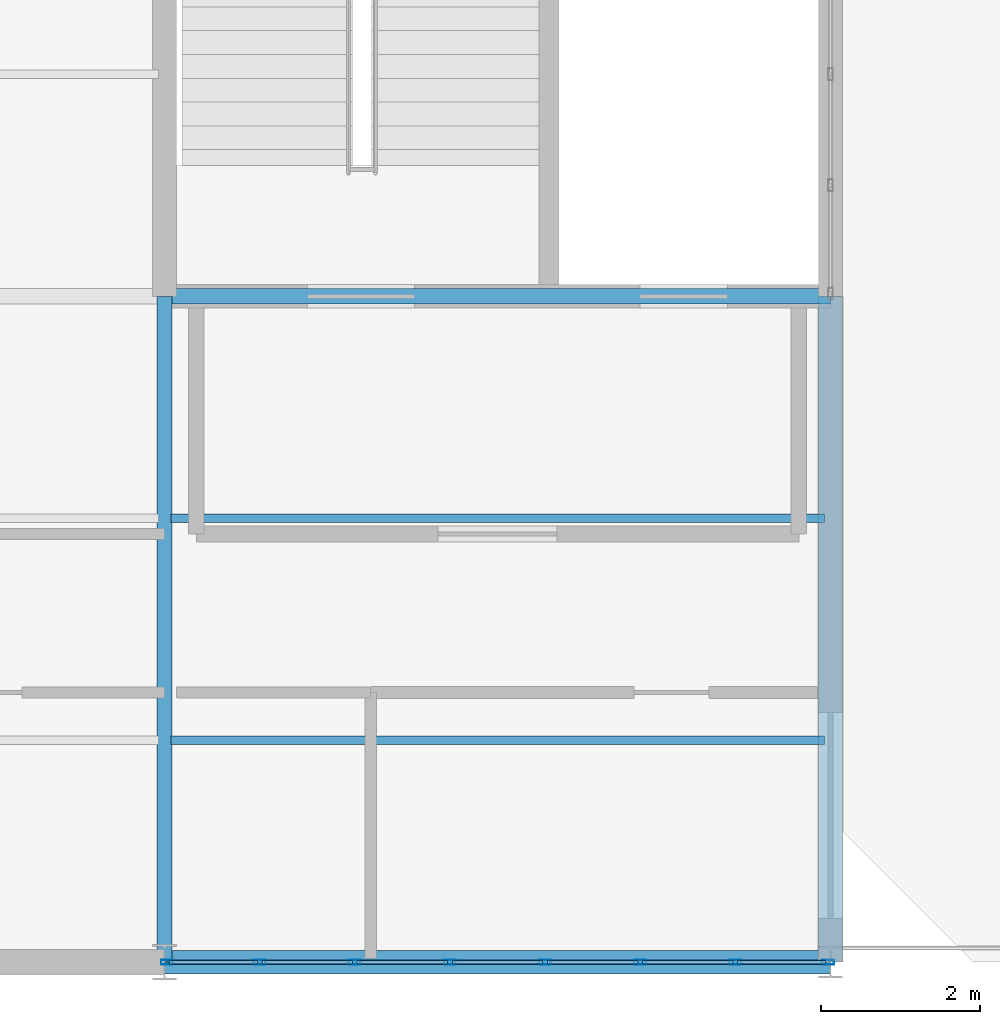
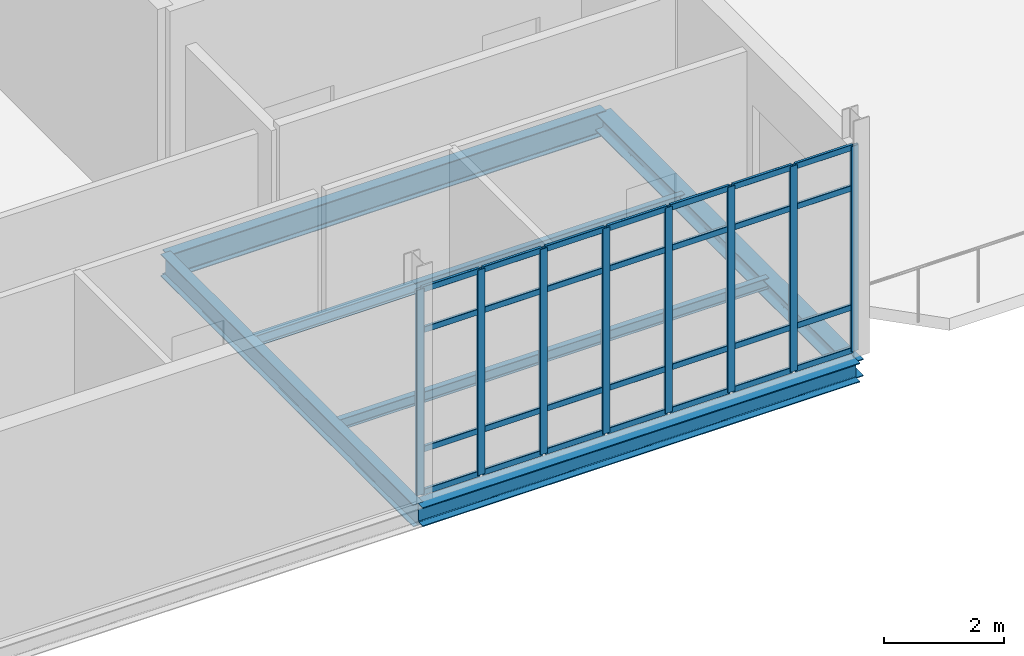
# One storey, part 11 of 28: 36 members, 6 beams, 1 element without a shape of its own.
"""IFC4 building model written with IfcOpenShell, lengths in metres."""

from ifc_helpers import new_model, si_unit, direction, frame, origin, origin_2d, place, context, subcontext, project, spatial, hollow_rectangle, i_section, extrude, material, layer, layer_set, material_profile, profile_set, type_object, element, aggregate, save


model = new_model("IFC4")

# Units and contexts
model_context = context("Model", 3, precision=1e-05, world=origin(), true_north=direction((0.0, 1.0)))
body_context = subcontext(model_context, "Body", "Model", "MODEL_VIEW")
ifc_project = project(units=[si_unit("LENGTHUNIT", "METRE"), si_unit("AREAUNIT", "SQUARE_METRE"), si_unit("VOLUMEUNIT", "CUBIC_METRE"), si_unit("PLANEANGLEUNIT", "RADIAN"), si_unit("MASSUNIT", "GRAM", prefix="KILO")], contexts=[model_context])

# Site, building, storey
site_placement = place(None, origin())
site = spatial("IfcSite", under=ifc_project, at=site_placement, CompositionType="ELEMENT")
building_placement = place(site_placement, origin())
building = spatial("IfcBuilding", under=site, at=building_placement, Name="Qalvenar Corner Mobility Hub", CompositionType="ELEMENT")
storey_placement = place(building_placement, frame((0.0, 0.0, 21.60009765625)))
storey = spatial("IfcBuildingStorey", under=building, at=storey_placement, Name="L05", CompositionType="ELEMENT", Elevation=21.60009765625)

# Beams
ifc_material_1 = material(Name="Steel S355", Category="steel")
ifc_material_profile_1 = material_profile(ifc_material_1, i_section(OverallWidth=0.18994140625, OverallDepth=0.449951171875, WebThickness=0.009521484375, FlangeThickness=0.0146484375, FilletRadius=0.02099609375, at=origin_2d()), Name="IPE450")
ifc_profile_set_1 = profile_set([ifc_material_profile_1], Name="Steel S355")
beam_type_1 = type_object("IfcBeamType", Name="BM-IPE450", PredefinedType="BEAM", material=ifc_profile_set_1)
beam_1_placement = place(storey_placement, frame((33.60009765625, 0.0, -0.405029296875), z_axis=(0.0, 1.0, 0.0), x_axis=(-1.0, 0.0, 0.0)))
element("IfcBeam", 1, at=beam_1_placement, inside=storey, type_object=beam_type_1, Name="Primary Steel Girder GY-2995", PredefinedType="BEAM", context=body_context, shape_type="SweptSolid", body=[
    extrude(i_section(OverallWidth=0.18994140625, OverallDepth=0.449951171875, WebThickness=0.009521484375, FlangeThickness=0.0146484375, FilletRadius=0.02099609375, at=origin_2d()), origin(), (0.0, 0.0, 1.0), 8.39990234375),
])
ifc_material_profile_2 = material_profile(ifc_material_1, i_section(OverallWidth=0.199951171875, OverallDepth=0.5, WebThickness=0.01025390625, FlangeThickness=0.01611328125, FilletRadius=0.02099609375, at=origin_2d()), Name="IPE500")
ifc_profile_set_2 = profile_set([ifc_material_profile_2], Name="Steel S355")
beam_type_2 = type_object("IfcBeamType", Name="BM-IPE500", PredefinedType="BEAM", material=ifc_profile_set_2)
beam_2_placement = place(storey_placement, frame((33.60009765625, 8.39990234375, -0.43017578125), z_axis=(1.0, 0.0, 0.0), x_axis=(0.0, 1.0, 0.0)))
element("IfcBeam", 2, at=beam_2_placement, inside=storey, type_object=beam_type_2, Name="Primary Steel Girder GX-2954", PredefinedType="BEAM", context=body_context, shape_type="SweptSolid", body=[
    extrude(i_section(OverallWidth=0.199951171875, OverallDepth=0.5, WebThickness=0.01025390625, FlangeThickness=0.01611328125, FilletRadius=0.02099609375, at=origin_2d()), origin(), (0.0, 0.0, 1.0), 8.39990234375),
])
ifc_material_profile_3 = material_profile(ifc_material_1, i_section(OverallWidth=0.110107421875, OverallDepth=0.219970703125, WebThickness=0.005859375, FlangeThickness=0.00927734375, FilletRadius=0.011962890625, at=origin_2d()), Name="IPE220")
ifc_profile_set_3 = profile_set([ifc_material_profile_3], Name="Steel S355")
beam_type_3 = type_object("IfcBeamType", Name="BM-JST220", PredefinedType="JOIST", material=ifc_profile_set_3)
for number, where, z_axis, x_axis, name in (
    (3, (33.677978515625, 2.800048828125, -0.2900390625), (1.0, 0.0, 0.0), (0.0, 1.0, 0.0), "Composite Floor Joist J-3044"),
    (4, (33.677978515625, 5.60009765625, -0.2900390625), (1.0, 0.0, 0.0), (0.0, 1.0, 0.0), "Composite Floor Joist J-3045"),
):
    element("IfcBeam", number, at=place(storey_placement, frame(where, z_axis=z_axis, x_axis=x_axis)), inside=storey, type_object=beam_type_3, Name=name, PredefinedType="JOIST", context=body_context, shape_type="SweptSolid", body=[
        extrude(i_section(OverallWidth=0.110107421875, OverallDepth=0.219970703125, WebThickness=0.005859375, FlangeThickness=0.00927734375, FilletRadius=0.011962890625, at=origin_2d()), origin(), (0.0, 0.0, 1.0), 8.244140625),
    ])
ifc_material_profile_4 = material_profile(ifc_material_1, i_section(OverallWidth=0.300048828125, OverallDepth=0.35009765625, WebThickness=0.010009765625, FlangeThickness=0.017578125, FilletRadius=0.027099609375, at=origin_2d()), Name="HEA360")
ifc_profile_set_4 = profile_set([ifc_material_profile_4], Name="Steel S355")
beam_type_4 = type_object("IfcBeamType", Name="BM-SPN360", PredefinedType="SPANDREL", material=ifc_profile_set_4)
beam_3_placement = place(storey_placement, frame((42.0, 0.0, -0.4169921875), z_axis=(0.0, 1.0, 0.0), x_axis=(-1.0, 0.0, 0.0)))
element("IfcBeam", 5, at=beam_3_placement, inside=storey, type_object=beam_type_4, Name="Primary Steel Girder GY-3000", PredefinedType="SPANDREL", context=body_context, shape_type="SweptSolid", body=[
    extrude(i_section(OverallWidth=0.300048828125, OverallDepth=0.35009765625, WebThickness=0.010009765625, FlangeThickness=0.017578125, FilletRadius=0.027099609375, at=origin_2d()), origin(), (0.0, 0.0, 1.0), 8.39990234375),
])
ifc_material_profile_5 = material_profile(ifc_material_1, i_section(OverallWidth=0.300048828125, OverallDepth=0.389892578125, WebThickness=0.010986328125, FlangeThickness=0.01904296875, FilletRadius=0.027099609375, at=origin_2d()), Name="HEA400")
ifc_profile_set_5 = profile_set([ifc_material_profile_5], Name="Steel S355")
beam_type_5 = type_object("IfcBeamType", Name="BM-SPN400", PredefinedType="SPANDREL", material=ifc_profile_set_5)
beam_4_placement = place(storey_placement, frame((33.60009765625, 0.0, -0.375), z_axis=(1.0, 0.0, 0.0), x_axis=(0.0, 1.0, 0.0)))
element("IfcBeam", 6, at=beam_4_placement, inside=storey, type_object=beam_type_5, Name="Primary Steel Girder GX-2949", PredefinedType="SPANDREL", context=body_context, shape_type="SweptSolid", body=[
    extrude(i_section(OverallWidth=0.300048828125, OverallDepth=0.389892578125, WebThickness=0.010986328125, FlangeThickness=0.01904296875, FilletRadius=0.027099609375, at=origin_2d()), origin(), (0.0, 0.0, 1.0), 8.39990234375),
])

# Curtain wall, members
ifc_material_2 = material(Name="Anodised Aluminium and Low-E Glazing", Category="aluminium")
ifc_layer = layer(ifc_material_2, 0.14990234375)
ifc_layer_set = layer_set([ifc_layer], Name="Anodised Aluminium and Low-E Glazing")
curtain_wall_type = type_object("IfcCurtainWallType", Name="CW-SPT-84X44", PredefinedType="NOTDEFINED", material=ifc_layer_set)
curtain_wall_placement = place(storey_placement, origin())
curtain_wall = element("IfcCurtainWall", 7, at=curtain_wall_placement, inside=storey, type_object=curtain_wall_type, Name="Glazed Curtain Wall CW-V3-L05-S4", PredefinedType="NOTDEFINED")
ifc_material_3 = material(Name="Anodised Aluminium 6063-T6", Category="aluminium")
ifc_material_profile_6 = material_profile(ifc_material_3, hollow_rectangle(XDim=0.06005859375, YDim=0.14990234375, WallThickness=0.00390625, InnerFilletRadius=0.00390625, OuterFilletRadius=0.008056640625, at=origin_2d()), Name="RHS150x60x4")
ifc_profile_set_6 = profile_set([ifc_material_profile_6], Name="Anodised Aluminium 6063-T6")
member_type_1 = type_object("IfcMemberType", Name="CW-MUL150", PredefinedType="MULLION", material=ifc_profile_set_6)
member_1_placement = place(storey_placement, frame((33.6298828125, 0.0, 0.0), z_axis=(0.0, 0.0, 1.0), x_axis=(0.0, 1.0, 0.0)))
member_1 = element("IfcMember", 8, at=member_1_placement, type_object=member_type_1, Name="CW-06 mullion 1", PredefinedType="MULLION", context=body_context, shape_type="SweptSolid", body=[
    extrude(hollow_rectangle(XDim=0.06005859375, YDim=0.14990234375, WallThickness=0.00390625, InnerFilletRadius=0.00390625, OuterFilletRadius=0.008056640625, at=origin_2d()), origin(), (0.0, 0.0, 1.0), 4.169921875),
])
member_2_placement = place(storey_placement, frame((34.800048828125, 0.0, 0.0), z_axis=(0.0, 0.0, 1.0), x_axis=(0.0, 1.0, 0.0)))
member_2 = element("IfcMember", 9, at=member_2_placement, type_object=member_type_1, Name="CW-06 mullion 2", PredefinedType="MULLION", context=body_context, shape_type="SweptSolid", body=[
    extrude(hollow_rectangle(XDim=0.06005859375, YDim=0.14990234375, WallThickness=0.00390625, InnerFilletRadius=0.00390625, OuterFilletRadius=0.008056640625, at=origin_2d()), origin(), (0.0, 0.0, 1.0), 4.169921875),
])
member_3_placement = place(storey_placement, frame((36.0, 0.0, 0.0), z_axis=(0.0, 0.0, 1.0), x_axis=(0.0, 1.0, 0.0)))
member_3 = element("IfcMember", 10, at=member_3_placement, type_object=member_type_1, Name="CW-06 mullion 3", PredefinedType="MULLION", context=body_context, shape_type="SweptSolid", body=[
    extrude(hollow_rectangle(XDim=0.06005859375, YDim=0.14990234375, WallThickness=0.00390625, InnerFilletRadius=0.00390625, OuterFilletRadius=0.008056640625, at=origin_2d()), origin(), (0.0, 0.0, 1.0), 4.169921875),
])
member_4_placement = place(storey_placement, frame((37.199951171875, 0.0, 0.0), z_axis=(0.0, 0.0, 1.0), x_axis=(0.0, 1.0, 0.0)))
member_4 = element("IfcMember", 11, at=member_4_placement, type_object=member_type_1, Name="CW-06 mullion 4", PredefinedType="MULLION", context=body_context, shape_type="SweptSolid", body=[
    extrude(hollow_rectangle(XDim=0.06005859375, YDim=0.14990234375, WallThickness=0.00390625, InnerFilletRadius=0.00390625, OuterFilletRadius=0.008056640625, at=origin_2d()), origin(), (0.0, 0.0, 1.0), 4.169921875),
])
member_5_placement = place(storey_placement, frame((38.39990234375, 0.0, 0.0), z_axis=(0.0, 0.0, 1.0), x_axis=(0.0, 1.0, 0.0)))
member_5 = element("IfcMember", 12, at=member_5_placement, type_object=member_type_1, Name="CW-06 mullion 5", PredefinedType="MULLION", context=body_context, shape_type="SweptSolid", body=[
    extrude(hollow_rectangle(XDim=0.06005859375, YDim=0.14990234375, WallThickness=0.00390625, InnerFilletRadius=0.00390625, OuterFilletRadius=0.008056640625, at=origin_2d()), origin(), (0.0, 0.0, 1.0), 4.169921875),
])
member_6_placement = place(storey_placement, frame((39.60009765625, 0.0, 0.0), z_axis=(0.0, 0.0, 1.0), x_axis=(0.0, 1.0, 0.0)))
member_6 = element("IfcMember", 13, at=member_6_placement, type_object=member_type_1, Name="CW-06 mullion 6", PredefinedType="MULLION", context=body_context, shape_type="SweptSolid", body=[
    extrude(hollow_rectangle(XDim=0.06005859375, YDim=0.14990234375, WallThickness=0.00390625, InnerFilletRadius=0.00390625, OuterFilletRadius=0.008056640625, at=origin_2d()), origin(), (0.0, 0.0, 1.0), 4.169921875),
])
member_7_placement = place(storey_placement, frame((40.800048828125, 0.0, 0.0), z_axis=(0.0, 0.0, 1.0), x_axis=(0.0, 1.0, 0.0)))
member_7 = element("IfcMember", 14, at=member_7_placement, type_object=member_type_1, Name="CW-06 mullion 7", PredefinedType="MULLION", context=body_context, shape_type="SweptSolid", body=[
    extrude(hollow_rectangle(XDim=0.06005859375, YDim=0.14990234375, WallThickness=0.00390625, InnerFilletRadius=0.00390625, OuterFilletRadius=0.008056640625, at=origin_2d()), origin(), (0.0, 0.0, 1.0), 4.169921875),
])
member_8_placement = place(storey_placement, frame((41.969970703125, 0.0, 0.0), z_axis=(0.0, 0.0, 1.0), x_axis=(0.0, 1.0, 0.0)))
member_8 = element("IfcMember", 15, at=member_8_placement, type_object=member_type_1, Name="CW-06 mullion 8", PredefinedType="MULLION", context=body_context, shape_type="SweptSolid", body=[
    extrude(hollow_rectangle(XDim=0.06005859375, YDim=0.14990234375, WallThickness=0.00390625, InnerFilletRadius=0.00390625, OuterFilletRadius=0.008056640625, at=origin_2d()), origin(), (0.0, 0.0, 1.0), 4.169921875),
])
ifc_material_profile_7 = material_profile(ifc_material_3, hollow_rectangle(XDim=0.054931640625, YDim=0.1201171875, WallThickness=0.00341796875, InnerFilletRadius=0.00341796875, OuterFilletRadius=0.007080078125, at=origin_2d()), Name="RHS120x55x3.5")
ifc_profile_set_7 = profile_set([ifc_material_profile_7], Name="Anodised Aluminium 6063-T6")
member_type_2 = type_object("IfcMemberType", Name="CW-TRN120", PredefinedType="USERDEFINED", material=ifc_profile_set_7)
member_9_placement = place(storey_placement, frame((33.659912109375, 0.0, 0.02734375), z_axis=(1.0, 0.0, 0.0), x_axis=(0.0, 1.0, 0.0)))
member_9 = element("IfcMember", 16, at=member_9_placement, type_object=member_type_2, Name="CW-06 transom 1.1", ObjectType="TRANSOM", PredefinedType="USERDEFINED", context=body_context, shape_type="SweptSolid", body=[
    extrude(hollow_rectangle(XDim=0.054931640625, YDim=0.1201171875, WallThickness=0.00341796875, InnerFilletRadius=0.00341796875, OuterFilletRadius=0.007080078125, at=origin_2d()), origin(), (0.0, 0.0, 1.0), 1.110107421875),
])
member_10_placement = place(storey_placement, frame((33.659912109375, 0.0, 0.89990234375), z_axis=(1.0, 0.0, 0.0), x_axis=(0.0, 1.0, 0.0)))
member_10 = element("IfcMember", 17, at=member_10_placement, type_object=member_type_2, Name="CW-06 transom 1.2", ObjectType="TRANSOM", PredefinedType="USERDEFINED", context=body_context, shape_type="SweptSolid", body=[
    extrude(hollow_rectangle(XDim=0.054931640625, YDim=0.1201171875, WallThickness=0.00341796875, InnerFilletRadius=0.00341796875, OuterFilletRadius=0.007080078125, at=origin_2d()), origin(), (0.0, 0.0, 1.0), 1.110107421875),
])
member_11_placement = place(storey_placement, frame((33.659912109375, 0.0, 3.31982421875), z_axis=(1.0, 0.0, 0.0), x_axis=(0.0, 1.0, 0.0)))
member_11 = element("IfcMember", 18, at=member_11_placement, type_object=member_type_2, Name="CW-06 transom 1.3", ObjectType="TRANSOM", PredefinedType="USERDEFINED", context=body_context, shape_type="SweptSolid", body=[
    extrude(hollow_rectangle(XDim=0.054931640625, YDim=0.1201171875, WallThickness=0.00341796875, InnerFilletRadius=0.00341796875, OuterFilletRadius=0.007080078125, at=origin_2d()), origin(), (0.0, 0.0, 1.0), 1.110107421875),
])
member_12_placement = place(storey_placement, frame((33.659912109375, 0.0, 4.142333984375), z_axis=(1.0, 0.0, 0.0), x_axis=(0.0, 1.0, 0.0)))
member_12 = element("IfcMember", 19, at=member_12_placement, type_object=member_type_2, Name="CW-06 transom 1.4", ObjectType="TRANSOM", PredefinedType="USERDEFINED", context=body_context, shape_type="SweptSolid", body=[
    extrude(hollow_rectangle(XDim=0.054931640625, YDim=0.1201171875, WallThickness=0.00341796875, InnerFilletRadius=0.00341796875, OuterFilletRadius=0.007080078125, at=origin_2d()), origin(), (0.0, 0.0, 1.0), 1.110107421875),
])
member_13_placement = place(storey_placement, frame((34.830078125, 0.0, 0.02734375), z_axis=(1.0, 0.0, 0.0), x_axis=(0.0, 1.0, 0.0)))
member_13 = element("IfcMember", 20, at=member_13_placement, type_object=member_type_2, Name="CW-06 transom 2.1", ObjectType="TRANSOM", PredefinedType="USERDEFINED", context=body_context, shape_type="SweptSolid", body=[
    extrude(hollow_rectangle(XDim=0.054931640625, YDim=0.1201171875, WallThickness=0.00341796875, InnerFilletRadius=0.00341796875, OuterFilletRadius=0.007080078125, at=origin_2d()), origin(), (0.0, 0.0, 1.0), 1.139892578125),
])
member_14_placement = place(storey_placement, frame((34.830078125, 0.0, 0.89990234375), z_axis=(1.0, 0.0, 0.0), x_axis=(0.0, 1.0, 0.0)))
member_14 = element("IfcMember", 21, at=member_14_placement, type_object=member_type_2, Name="CW-06 transom 2.2", ObjectType="TRANSOM", PredefinedType="USERDEFINED", context=body_context, shape_type="SweptSolid", body=[
    extrude(hollow_rectangle(XDim=0.054931640625, YDim=0.1201171875, WallThickness=0.00341796875, InnerFilletRadius=0.00341796875, OuterFilletRadius=0.007080078125, at=origin_2d()), origin(), (0.0, 0.0, 1.0), 1.139892578125),
])
member_15_placement = place(storey_placement, frame((34.830078125, 0.0, 3.31982421875), z_axis=(1.0, 0.0, 0.0), x_axis=(0.0, 1.0, 0.0)))
member_15 = element("IfcMember", 22, at=member_15_placement, type_object=member_type_2, Name="CW-06 transom 2.3", ObjectType="TRANSOM", PredefinedType="USERDEFINED", context=body_context, shape_type="SweptSolid", body=[
    extrude(hollow_rectangle(XDim=0.054931640625, YDim=0.1201171875, WallThickness=0.00341796875, InnerFilletRadius=0.00341796875, OuterFilletRadius=0.007080078125, at=origin_2d()), origin(), (0.0, 0.0, 1.0), 1.139892578125),
])
member_16_placement = place(storey_placement, frame((34.830078125, 0.0, 4.142333984375), z_axis=(1.0, 0.0, 0.0), x_axis=(0.0, 1.0, 0.0)))
member_16 = element("IfcMember", 23, at=member_16_placement, type_object=member_type_2, Name="CW-06 transom 2.4", ObjectType="TRANSOM", PredefinedType="USERDEFINED", context=body_context, shape_type="SweptSolid", body=[
    extrude(hollow_rectangle(XDim=0.054931640625, YDim=0.1201171875, WallThickness=0.00341796875, InnerFilletRadius=0.00341796875, OuterFilletRadius=0.007080078125, at=origin_2d()), origin(), (0.0, 0.0, 1.0), 1.139892578125),
])
member_17_placement = place(storey_placement, frame((36.030029296875, 0.0, 0.02734375), z_axis=(1.0, 0.0, 0.0), x_axis=(0.0, 1.0, 0.0)))
member_17 = element("IfcMember", 24, at=member_17_placement, type_object=member_type_2, Name="CW-06 transom 3.1", ObjectType="TRANSOM", PredefinedType="USERDEFINED", context=body_context, shape_type="SweptSolid", body=[
    extrude(hollow_rectangle(XDim=0.054931640625, YDim=0.1201171875, WallThickness=0.00341796875, InnerFilletRadius=0.00341796875, OuterFilletRadius=0.007080078125, at=origin_2d()), origin(), (0.0, 0.0, 1.0), 1.139892578125),
])
member_18_placement = place(storey_placement, frame((36.030029296875, 0.0, 0.89990234375), z_axis=(1.0, 0.0, 0.0), x_axis=(0.0, 1.0, 0.0)))
member_18 = element("IfcMember", 25, at=member_18_placement, type_object=member_type_2, Name="CW-06 transom 3.2", ObjectType="TRANSOM", PredefinedType="USERDEFINED", context=body_context, shape_type="SweptSolid", body=[
    extrude(hollow_rectangle(XDim=0.054931640625, YDim=0.1201171875, WallThickness=0.00341796875, InnerFilletRadius=0.00341796875, OuterFilletRadius=0.007080078125, at=origin_2d()), origin(), (0.0, 0.0, 1.0), 1.139892578125),
])
member_19_placement = place(storey_placement, frame((36.030029296875, 0.0, 3.31982421875), z_axis=(1.0, 0.0, 0.0), x_axis=(0.0, 1.0, 0.0)))
member_19 = element("IfcMember", 26, at=member_19_placement, type_object=member_type_2, Name="CW-06 transom 3.3", ObjectType="TRANSOM", PredefinedType="USERDEFINED", context=body_context, shape_type="SweptSolid", body=[
    extrude(hollow_rectangle(XDim=0.054931640625, YDim=0.1201171875, WallThickness=0.00341796875, InnerFilletRadius=0.00341796875, OuterFilletRadius=0.007080078125, at=origin_2d()), origin(), (0.0, 0.0, 1.0), 1.139892578125),
])
member_20_placement = place(storey_placement, frame((36.030029296875, 0.0, 4.142333984375), z_axis=(1.0, 0.0, 0.0), x_axis=(0.0, 1.0, 0.0)))
member_20 = element("IfcMember", 27, at=member_20_placement, type_object=member_type_2, Name="CW-06 transom 3.4", ObjectType="TRANSOM", PredefinedType="USERDEFINED", context=body_context, shape_type="SweptSolid", body=[
    extrude(hollow_rectangle(XDim=0.054931640625, YDim=0.1201171875, WallThickness=0.00341796875, InnerFilletRadius=0.00341796875, OuterFilletRadius=0.007080078125, at=origin_2d()), origin(), (0.0, 0.0, 1.0), 1.139892578125),
])
member_21_placement = place(storey_placement, frame((37.22998046875, 0.0, 0.02734375), z_axis=(1.0, 0.0, 0.0), x_axis=(0.0, 1.0, 0.0)))
member_21 = element("IfcMember", 28, at=member_21_placement, type_object=member_type_2, Name="CW-06 transom 4.1", ObjectType="TRANSOM", PredefinedType="USERDEFINED", context=body_context, shape_type="SweptSolid", body=[
    extrude(hollow_rectangle(XDim=0.054931640625, YDim=0.1201171875, WallThickness=0.00341796875, InnerFilletRadius=0.00341796875, OuterFilletRadius=0.007080078125, at=origin_2d()), origin(), (0.0, 0.0, 1.0), 1.14013671875),
])
member_22_placement = place(storey_placement, frame((37.22998046875, 0.0, 0.89990234375), z_axis=(1.0, 0.0, 0.0), x_axis=(0.0, 1.0, 0.0)))
member_22 = element("IfcMember", 29, at=member_22_placement, type_object=member_type_2, Name="CW-06 transom 4.2", ObjectType="TRANSOM", PredefinedType="USERDEFINED", context=body_context, shape_type="SweptSolid", body=[
    extrude(hollow_rectangle(XDim=0.054931640625, YDim=0.1201171875, WallThickness=0.00341796875, InnerFilletRadius=0.00341796875, OuterFilletRadius=0.007080078125, at=origin_2d()), origin(), (0.0, 0.0, 1.0), 1.14013671875),
])
member_23_placement = place(storey_placement, frame((37.22998046875, 0.0, 3.31982421875), z_axis=(1.0, 0.0, 0.0), x_axis=(0.0, 1.0, 0.0)))
member_23 = element("IfcMember", 30, at=member_23_placement, type_object=member_type_2, Name="CW-06 transom 4.3", ObjectType="TRANSOM", PredefinedType="USERDEFINED", context=body_context, shape_type="SweptSolid", body=[
    extrude(hollow_rectangle(XDim=0.054931640625, YDim=0.1201171875, WallThickness=0.00341796875, InnerFilletRadius=0.00341796875, OuterFilletRadius=0.007080078125, at=origin_2d()), origin(), (0.0, 0.0, 1.0), 1.14013671875),
])
member_24_placement = place(storey_placement, frame((37.22998046875, 0.0, 4.142333984375), z_axis=(1.0, 0.0, 0.0), x_axis=(0.0, 1.0, 0.0)))
member_24 = element("IfcMember", 31, at=member_24_placement, type_object=member_type_2, Name="CW-06 transom 4.4", ObjectType="TRANSOM", PredefinedType="USERDEFINED", context=body_context, shape_type="SweptSolid", body=[
    extrude(hollow_rectangle(XDim=0.054931640625, YDim=0.1201171875, WallThickness=0.00341796875, InnerFilletRadius=0.00341796875, OuterFilletRadius=0.007080078125, at=origin_2d()), origin(), (0.0, 0.0, 1.0), 1.14013671875),
])
member_25_placement = place(storey_placement, frame((38.429931640625, 0.0, 0.02734375), z_axis=(1.0, 0.0, 0.0), x_axis=(0.0, 1.0, 0.0)))
member_25 = element("IfcMember", 32, at=member_25_placement, type_object=member_type_2, Name="CW-06 transom 5.1", ObjectType="TRANSOM", PredefinedType="USERDEFINED", context=body_context, shape_type="SweptSolid", body=[
    extrude(hollow_rectangle(XDim=0.054931640625, YDim=0.1201171875, WallThickness=0.00341796875, InnerFilletRadius=0.00341796875, OuterFilletRadius=0.007080078125, at=origin_2d()), origin(), (0.0, 0.0, 1.0), 1.14013671875),
])
member_26_placement = place(storey_placement, frame((38.429931640625, 0.0, 0.89990234375), z_axis=(1.0, 0.0, 0.0), x_axis=(0.0, 1.0, 0.0)))
member_26 = element("IfcMember", 33, at=member_26_placement, type_object=member_type_2, Name="CW-06 transom 5.2", ObjectType="TRANSOM", PredefinedType="USERDEFINED", context=body_context, shape_type="SweptSolid", body=[
    extrude(hollow_rectangle(XDim=0.054931640625, YDim=0.1201171875, WallThickness=0.00341796875, InnerFilletRadius=0.00341796875, OuterFilletRadius=0.007080078125, at=origin_2d()), origin(), (0.0, 0.0, 1.0), 1.14013671875),
])
member_27_placement = place(storey_placement, frame((38.429931640625, 0.0, 3.31982421875), z_axis=(1.0, 0.0, 0.0), x_axis=(0.0, 1.0, 0.0)))
member_27 = element("IfcMember", 34, at=member_27_placement, type_object=member_type_2, Name="CW-06 transom 5.3", ObjectType="TRANSOM", PredefinedType="USERDEFINED", context=body_context, shape_type="SweptSolid", body=[
    extrude(hollow_rectangle(XDim=0.054931640625, YDim=0.1201171875, WallThickness=0.00341796875, InnerFilletRadius=0.00341796875, OuterFilletRadius=0.007080078125, at=origin_2d()), origin(), (0.0, 0.0, 1.0), 1.14013671875),
])
member_28_placement = place(storey_placement, frame((38.429931640625, 0.0, 4.142333984375), z_axis=(1.0, 0.0, 0.0), x_axis=(0.0, 1.0, 0.0)))
member_28 = element("IfcMember", 35, at=member_28_placement, type_object=member_type_2, Name="CW-06 transom 5.4", ObjectType="TRANSOM", PredefinedType="USERDEFINED", context=body_context, shape_type="SweptSolid", body=[
    extrude(hollow_rectangle(XDim=0.054931640625, YDim=0.1201171875, WallThickness=0.00341796875, InnerFilletRadius=0.00341796875, OuterFilletRadius=0.007080078125, at=origin_2d()), origin(), (0.0, 0.0, 1.0), 1.14013671875),
])
member_29_placement = place(storey_placement, frame((39.6298828125, 0.0, 0.02734375), z_axis=(1.0, 0.0, 0.0), x_axis=(0.0, 1.0, 0.0)))
member_29 = element("IfcMember", 36, at=member_29_placement, type_object=member_type_2, Name="CW-06 transom 6.1", ObjectType="TRANSOM", PredefinedType="USERDEFINED", context=body_context, shape_type="SweptSolid", body=[
    extrude(hollow_rectangle(XDim=0.054931640625, YDim=0.1201171875, WallThickness=0.00341796875, InnerFilletRadius=0.00341796875, OuterFilletRadius=0.007080078125, at=origin_2d()), origin(), (0.0, 0.0, 1.0), 1.14013671875),
])
member_30_placement = place(storey_placement, frame((39.6298828125, 0.0, 0.89990234375), z_axis=(1.0, 0.0, 0.0), x_axis=(0.0, 1.0, 0.0)))
member_30 = element("IfcMember", 37, at=member_30_placement, type_object=member_type_2, Name="CW-06 transom 6.2", ObjectType="TRANSOM", PredefinedType="USERDEFINED", context=body_context, shape_type="SweptSolid", body=[
    extrude(hollow_rectangle(XDim=0.054931640625, YDim=0.1201171875, WallThickness=0.00341796875, InnerFilletRadius=0.00341796875, OuterFilletRadius=0.007080078125, at=origin_2d()), origin(), (0.0, 0.0, 1.0), 1.14013671875),
])
member_31_placement = place(storey_placement, frame((39.6298828125, 0.0, 3.31982421875), z_axis=(1.0, 0.0, 0.0), x_axis=(0.0, 1.0, 0.0)))
member_31 = element("IfcMember", 38, at=member_31_placement, type_object=member_type_2, Name="CW-06 transom 6.3", ObjectType="TRANSOM", PredefinedType="USERDEFINED", context=body_context, shape_type="SweptSolid", body=[
    extrude(hollow_rectangle(XDim=0.054931640625, YDim=0.1201171875, WallThickness=0.00341796875, InnerFilletRadius=0.00341796875, OuterFilletRadius=0.007080078125, at=origin_2d()), origin(), (0.0, 0.0, 1.0), 1.14013671875),
])
member_32_placement = place(storey_placement, frame((39.6298828125, 0.0, 4.142333984375), z_axis=(1.0, 0.0, 0.0), x_axis=(0.0, 1.0, 0.0)))
member_32 = element("IfcMember", 39, at=member_32_placement, type_object=member_type_2, Name="CW-06 transom 6.4", ObjectType="TRANSOM", PredefinedType="USERDEFINED", context=body_context, shape_type="SweptSolid", body=[
    extrude(hollow_rectangle(XDim=0.054931640625, YDim=0.1201171875, WallThickness=0.00341796875, InnerFilletRadius=0.00341796875, OuterFilletRadius=0.007080078125, at=origin_2d()), origin(), (0.0, 0.0, 1.0), 1.14013671875),
])
member_33_placement = place(storey_placement, frame((40.830078125, 0.0, 0.02734375), z_axis=(1.0, 0.0, 0.0), x_axis=(0.0, 1.0, 0.0)))
member_33 = element("IfcMember", 40, at=member_33_placement, type_object=member_type_2, Name="CW-06 transom 7.1", ObjectType="TRANSOM", PredefinedType="USERDEFINED", context=body_context, shape_type="SweptSolid", body=[
    extrude(hollow_rectangle(XDim=0.054931640625, YDim=0.1201171875, WallThickness=0.00341796875, InnerFilletRadius=0.00341796875, OuterFilletRadius=0.007080078125, at=origin_2d()), origin(), (0.0, 0.0, 1.0), 1.10986328125),
])
member_34_placement = place(storey_placement, frame((40.830078125, 0.0, 0.89990234375), z_axis=(1.0, 0.0, 0.0), x_axis=(0.0, 1.0, 0.0)))
member_34 = element("IfcMember", 41, at=member_34_placement, type_object=member_type_2, Name="CW-06 transom 7.2", ObjectType="TRANSOM", PredefinedType="USERDEFINED", context=body_context, shape_type="SweptSolid", body=[
    extrude(hollow_rectangle(XDim=0.054931640625, YDim=0.1201171875, WallThickness=0.00341796875, InnerFilletRadius=0.00341796875, OuterFilletRadius=0.007080078125, at=origin_2d()), origin(), (0.0, 0.0, 1.0), 1.10986328125),
])
member_35_placement = place(storey_placement, frame((40.830078125, 0.0, 3.31982421875), z_axis=(1.0, 0.0, 0.0), x_axis=(0.0, 1.0, 0.0)))
member_35 = element("IfcMember", 42, at=member_35_placement, type_object=member_type_2, Name="CW-06 transom 7.3", ObjectType="TRANSOM", PredefinedType="USERDEFINED", context=body_context, shape_type="SweptSolid", body=[
    extrude(hollow_rectangle(XDim=0.054931640625, YDim=0.1201171875, WallThickness=0.00341796875, InnerFilletRadius=0.00341796875, OuterFilletRadius=0.007080078125, at=origin_2d()), origin(), (0.0, 0.0, 1.0), 1.10986328125),
])
member_36_placement = place(storey_placement, frame((40.830078125, 0.0, 4.142333984375), z_axis=(1.0, 0.0, 0.0), x_axis=(0.0, 1.0, 0.0)))
member_36 = element("IfcMember", 43, at=member_36_placement, type_object=member_type_2, Name="CW-06 transom 7.4", ObjectType="TRANSOM", PredefinedType="USERDEFINED", context=body_context, shape_type="SweptSolid", body=[
    extrude(hollow_rectangle(XDim=0.054931640625, YDim=0.1201171875, WallThickness=0.00341796875, InnerFilletRadius=0.00341796875, OuterFilletRadius=0.007080078125, at=origin_2d()), origin(), (0.0, 0.0, 1.0), 1.10986328125),
])
aggregate(curtain_wall, [member_1, member_2, member_3, member_4, member_5, member_6, member_7, member_8, member_9, member_10, member_11, member_12, member_13, member_14, member_15, member_16, member_17, member_18, member_19, member_20, member_21, member_22, member_23, member_24, member_25, member_26, member_27, member_28, member_29, member_30, member_31, member_32, member_33, member_34, member_35, member_36])

save(model, "model.ifc")
